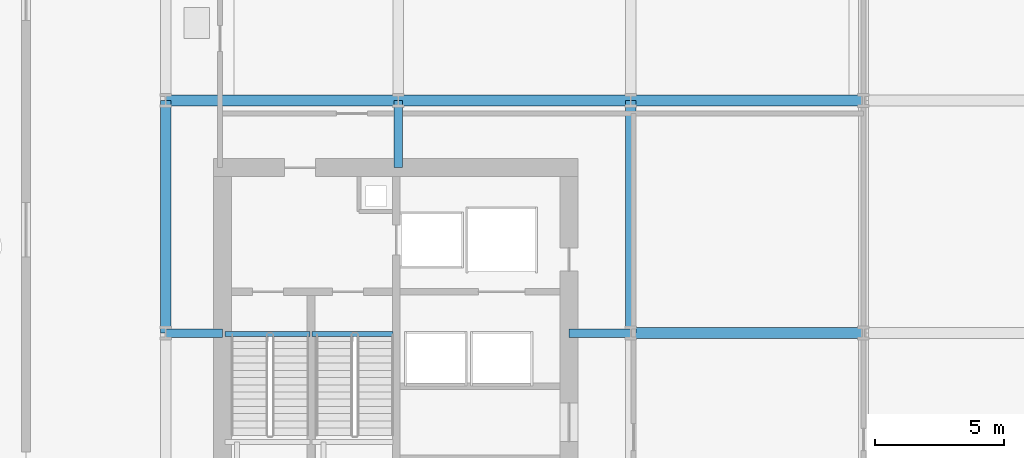
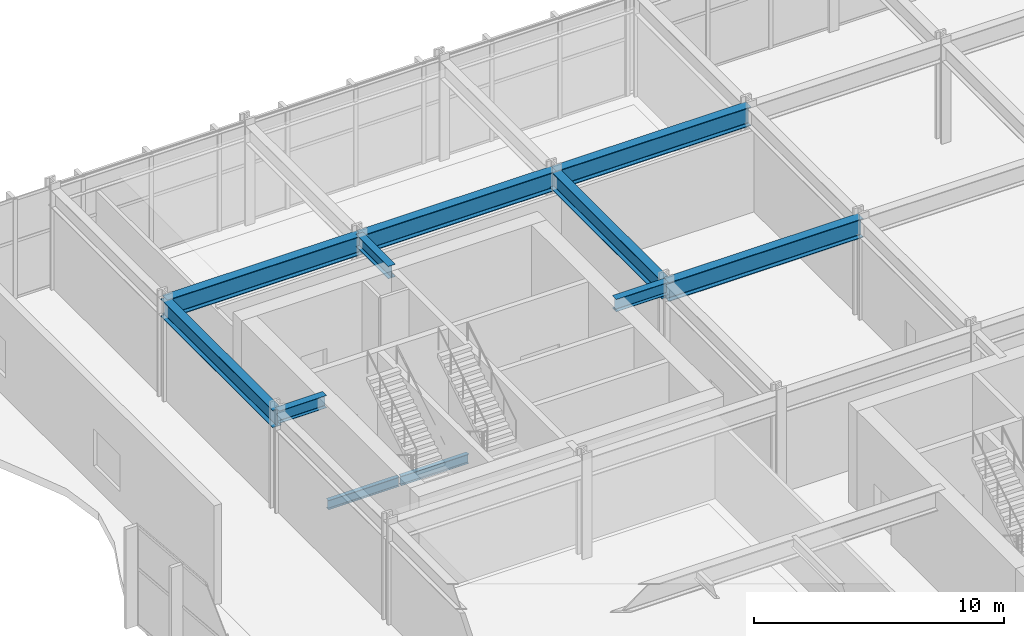
# One storey, part 14 of 31: 11 beams.
"""IFC4 building model written with IfcOpenShell, lengths in metres."""

from ifc_helpers import new_model, si_unit, direction, frame, origin, origin_2d, place, context, subcontext, project, spatial, i_section, extrude, material, material_profile, profile_set, type_object, element, save


model = new_model("IFC4")

# Units and contexts
model_context = context("Model", 3, precision=1e-05, world=origin(), true_north=direction((0.0, 1.0)))
body_context = subcontext(model_context, "Body", "Model", "MODEL_VIEW")
ifc_project = project(units=[si_unit("LENGTHUNIT", "METRE"), si_unit("AREAUNIT", "SQUARE_METRE"), si_unit("VOLUMEUNIT", "CUBIC_METRE"), si_unit("PLANEANGLEUNIT", "RADIAN"), si_unit("MASSUNIT", "GRAM", prefix="KILO")], contexts=[model_context])

# Site, building, storey
site_placement = place(None, origin())
site = spatial("IfcSite", under=ifc_project, at=site_placement, CompositionType="ELEMENT")
building_placement = place(site_placement, origin())
building = spatial("IfcBuilding", under=site, at=building_placement, Name="Solvaryn Broadcast Tower", CompositionType="ELEMENT")
storey_placement = place(building_placement, frame((0.0, 0.0, 11.0)))
storey = spatial("IfcBuildingStorey", under=building, at=storey_placement, Name="L02", CompositionType="ELEMENT", Elevation=11.0)

# Beams
ifc_material_1 = material(Name="Steel ASTM A992 Grade 50", Category="steel")
ifc_material_profile_1 = material_profile(ifc_material_1, i_section(OverallWidth=0.323974609375, OverallDepth=0.611083984375, WebThickness=0.0126953125, FlangeThickness=0.01904296875, FilletRadius=0.014892578125, at=origin_2d()))
ifc_profile_set_1 = profile_set([ifc_material_profile_1], Name="Steel ASTM A992 Grade 50")
beam_type_1 = type_object("IfcBeamType", Name="BM-B1-W24X104", PredefinedType="BEAM", material=ifc_profile_set_1)
beam_1_placement = place(storey_placement, frame((9.0, 36.0, 4.574462890625), z_axis=(1.0, 0.0, 0.0), x_axis=(0.0, 1.0, 0.0)))
element("IfcBeam", 1, at=beam_1_placement, inside=storey, type_object=beam_type_1, Name="L02 Core Tie Beam CTW1", PredefinedType="BEAM", context=body_context, shape_type="SweptSolid", body=[
    extrude(i_section(OverallWidth=0.323974609375, OverallDepth=0.611083984375, WebThickness=0.0126953125, FlangeThickness=0.01904296875, FilletRadius=0.014892578125, at=origin_2d()), origin(), (0.0, 0.0, 1.0), 2.199951171875),
])
beam_2_placement = place(storey_placement, frame((24.60009765625, 36.0, 4.574462890625), z_axis=(1.0, 0.0, 0.0), x_axis=(0.0, 1.0, 0.0)))
element("IfcBeam", 2, at=beam_2_placement, inside=storey, type_object=beam_type_1, Name="L02 Core Tie Beam CTW2", PredefinedType="BEAM", context=body_context, shape_type="SweptSolid", body=[
    extrude(i_section(OverallWidth=0.323974609375, OverallDepth=0.611083984375, WebThickness=0.0126953125, FlangeThickness=0.01904296875, FilletRadius=0.014892578125, at=origin_2d()), origin(), (0.0, 0.0, 1.0), 2.39990234375),
])
beam_3_placement = place(storey_placement, frame((18.0, 42.39990234375, 4.574462890625), z_axis=(0.0, 1.0, 0.0), x_axis=(-1.0, 0.0, 0.0)))
element("IfcBeam", 3, at=beam_3_placement, inside=storey, type_object=beam_type_1, Name="L02 Core Tie Beam CTW3", PredefinedType="BEAM", context=body_context, shape_type="SweptSolid", body=[
    extrude(i_section(OverallWidth=0.323974609375, OverallDepth=0.611083984375, WebThickness=0.0126953125, FlangeThickness=0.01904296875, FilletRadius=0.014892578125, at=origin_2d()), origin(), (0.0, 0.0, 1.0), 2.60009765625),
])
ifc_material_2 = material(Name="Steel ASTM A992 Grade 50", Category="steel")
ifc_material_profile_2 = material_profile(ifc_material_2, i_section(OverallWidth=0.18994140625, OverallDepth=0.45703125, WebThickness=0.009033203125, FlangeThickness=0.014404296875, FilletRadius=0.011962890625, at=origin_2d()))
ifc_profile_set_2 = profile_set([ifc_material_profile_2], Name="Steel ASTM A992 Grade 50")
beam_type_2 = type_object("IfcBeamType", Name="BM-B4-W18X50", PredefinedType="BEAM", material=ifc_profile_set_2)
beam_4_placement = place(storey_placement, frame((11.300048828125, 35.9599609375, -0.548583984375), z_axis=(1.0, 0.0, 0.0), x_axis=(0.0, 1.0, 0.0)))
element("IfcBeam", 4, at=beam_4_placement, inside=storey, type_object=beam_type_2, Name="L02 ST1 Stair Well Trimmer Beam", PredefinedType="BEAM", context=body_context, shape_type="SweptSolid", body=[
    extrude(i_section(OverallWidth=0.18994140625, OverallDepth=0.45703125, WebThickness=0.009033203125, FlangeThickness=0.014404296875, FilletRadius=0.011962890625, at=origin_2d()), origin(), (0.0, 0.0, 1.0), 3.280029296875),
])
beam_5_placement = place(storey_placement, frame((14.659912109375, 35.9599609375, -0.548583984375), z_axis=(1.0, 0.0, 0.0), x_axis=(0.0, 1.0, 0.0)))
element("IfcBeam", 5, at=beam_5_placement, inside=storey, type_object=beam_type_2, Name="L02 ST2 Stair Well Trimmer Beam", PredefinedType="BEAM", context=body_context, shape_type="SweptSolid", body=[
    extrude(i_section(OverallWidth=0.18994140625, OverallDepth=0.45703125, WebThickness=0.009033203125, FlangeThickness=0.014404296875, FilletRadius=0.011962890625, at=origin_2d()), origin(), (0.0, 0.0, 1.0), 3.14013671875),
])
ifc_material_3 = material(Name="Steel ASTM A992 Grade 50", Category="steel")
ifc_material_profile_3 = material_profile(ifc_material_3, i_section(OverallWidth=0.41796875, OverallDepth=0.927001953125, WebThickness=0.019287109375, FlangeThickness=0.031982421875, FilletRadius=0.02392578125, at=origin_2d()))
ifc_profile_set_3 = profile_set([ifc_material_profile_3], Name="Steel ASTM A992 Grade 50")
beam_type_3 = type_object("IfcBeamType", Name="BM-G2-W36X231", PredefinedType="BEAM", material=ifc_profile_set_3)
for number, where, z_axis, x_axis, name in (
    (6, (27.0, 36.0, 4.41650390625), (1.0, 0.0, 0.0), (0.0, 1.0, 0.0), "L02 Primary Beam X (27-36 @ Y=36)"),
    (7, (9.0, 45.0, 4.41650390625), (1.0, 0.0, 0.0), (0.0, 1.0, 0.0), "L02 Primary Beam X (9-18 @ Y=45)"),
    (8, (18.0, 45.0, 4.41650390625), (1.0, 0.0, 0.0), (0.0, 1.0, 0.0), "L02 Primary Beam X (18-27 @ Y=45)"),
    (9, (27.0, 45.0, 4.41650390625), (1.0, 0.0, 0.0), (0.0, 1.0, 0.0), "L02 Primary Beam X (27-36 @ Y=45)"),
):
    element("IfcBeam", number, at=place(storey_placement, frame(where, z_axis=z_axis, x_axis=x_axis)), inside=storey, type_object=beam_type_3, Name=name, PredefinedType="BEAM", context=body_context, shape_type="SweptSolid", body=[
        extrude(i_section(OverallWidth=0.41796875, OverallDepth=0.927001953125, WebThickness=0.019287109375, FlangeThickness=0.031982421875, FilletRadius=0.02392578125, at=origin_2d()), origin(), (0.0, 0.0, 1.0), 9.0),
    ])
ifc_material_4 = material(Name="Steel ASTM A992 Grade 50", Category="steel")
ifc_material_profile_4 = material_profile(ifc_material_4, i_section(OverallWidth=0.39990234375, OverallDepth=0.85498046875, WebThickness=0.018310546875, FlangeThickness=0.029296875, FilletRadius=0.02001953125, at=origin_2d()))
ifc_profile_set_4 = profile_set([ifc_material_profile_4], Name="Steel ASTM A992 Grade 50")
beam_type_4 = type_object("IfcBeamType", Name="BM-G3-W33X201", PredefinedType="BEAM", material=ifc_profile_set_4)
for number, where, z_axis, x_axis, name in (
    (10, (9.0, 36.0, 4.452392578125), (0.0, 1.0, 0.0), (-1.0, 0.0, 0.0), "L02 Primary Beam Y (36-45 @ X=9)"),
    (11, (27.0, 36.0, 4.452392578125), (0.0, 1.0, 0.0), (-1.0, 0.0, 0.0), "L02 Primary Beam Y (36-45 @ X=27)"),
):
    element("IfcBeam", number, at=place(storey_placement, frame(where, z_axis=z_axis, x_axis=x_axis)), inside=storey, type_object=beam_type_4, Name=name, PredefinedType="BEAM", context=body_context, shape_type="SweptSolid", body=[
        extrude(i_section(OverallWidth=0.39990234375, OverallDepth=0.85498046875, WebThickness=0.018310546875, FlangeThickness=0.029296875, FilletRadius=0.02001953125, at=origin_2d()), origin(), (0.0, 0.0, 1.0), 9.0),
    ])

save(model, "model.ifc")
